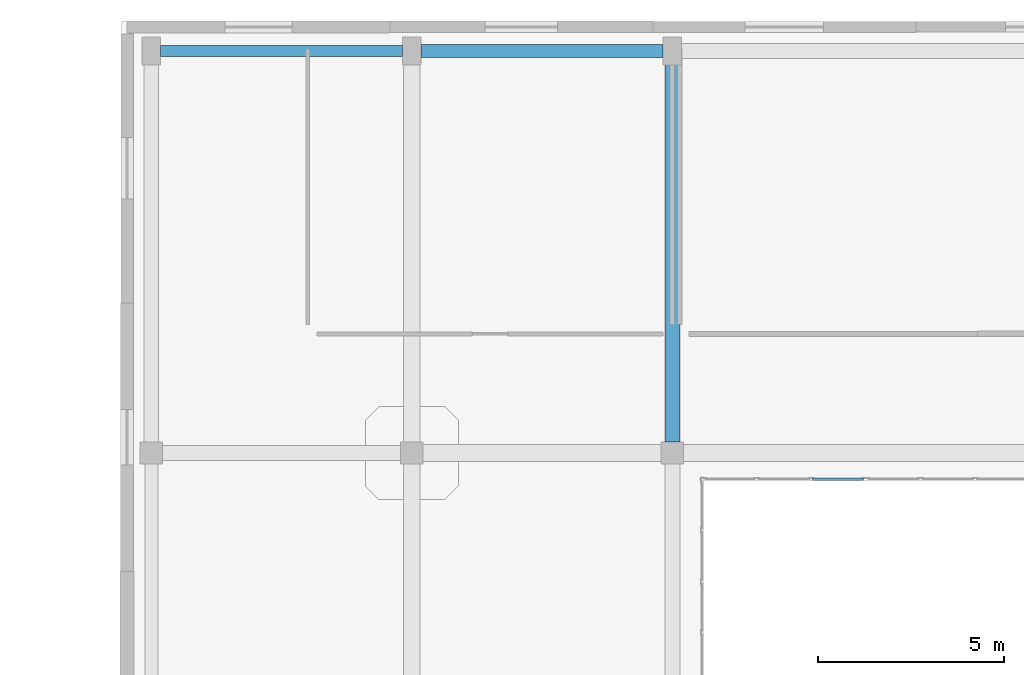
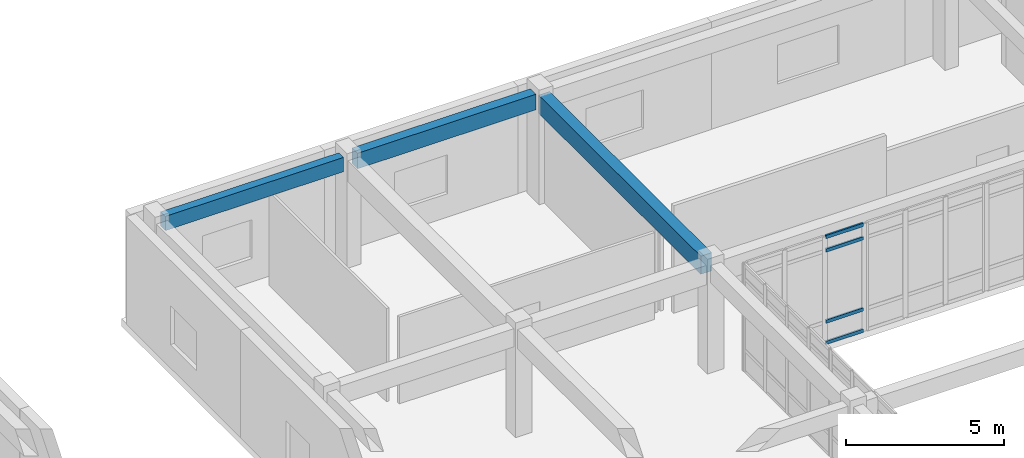
# One storey, part 91 of 142: 4 members, 3 beams, 1 element without a shape of its own.
"""IFC4 building model written with IfcOpenShell, lengths in metres."""

import ifcopenshell
import ifcopenshell.guid

model = None  # the IFC model being written
_history = None  # IfcOwnerHistory: only IFC2X3 demands one
_inside = {}  # id of a spatial element -> (the spatial element, [elements in it])
_under = {}  # id of a project, library or spatial element -> (it, [spatial elements below it])
_declared = {}  # id of a project -> (the project, [libraries it declares])
_typed = {}  # id of a type object -> (the type object, [elements of that type])
_made_of = {}  # id of a material, layer set ... -> (it, [elements and type objects made of it])


def new_model(schema):
    """Start an empty IFC model of exactly this schema.

    Asked for "IFC4X3", IfcOpenShell would pick the latest addendum, in which some entities
    have other attributes; the version numbers below select the first issue.
    IFC2X3 requires an IfcOwnerHistory on every rooted entity: one is made here for all.
    """
    global model, _history
    if schema == "IFC4X3":
        model = ifcopenshell.file(schema_version=(4, 3, 0, 0))
    else:
        model = ifcopenshell.file(schema=schema)
    _inside.clear()
    _under.clear()
    _declared.clear()
    _typed.clear()
    _made_of.clear()
    _history = None
    if model.schema == "IFC2X3":
        org = make("IfcOrganization", Name="unknown")
        user = make(
            "IfcPersonAndOrganization",
            ThePerson=make("IfcPerson", FamilyName="unknown"),
            TheOrganization=org,
        )
        app = make(
            "IfcApplication",
            ApplicationDeveloper=org,
            Version="unknown",
            ApplicationFullName="unknown",
            ApplicationIdentifier="unknown",
        )
        _history = make(
            "IfcOwnerHistory",
            OwningUser=user,
            OwningApplication=app,
            ChangeAction="ADDED",
            CreationDate=0,
        )
    return model


def make(cls, **values):
    """One entity of the class cls with the attributes given. An attribute that is None is left unset."""
    return model.create_entity(
        cls, **{name: value for name, value in values.items() if value is not None}
    )


def rooted(cls, **values):
    """An entity with a GlobalId (a new one), such as an element, a storey or a relation."""
    return make(cls, GlobalId=ifcopenshell.guid.new(), OwnerHistory=_history, **values)


def si_unit(unit_type, name, prefix=None):
    """IfcSIUnit, for example si_unit("LENGTHUNIT", "METRE", prefix="MILLI")."""
    return make("IfcSIUnit", UnitType=unit_type, Prefix=prefix, Name=name)


def assignment(units):
    """IfcUnitAssignment: the units of a project."""
    return None if units is None else make("IfcUnitAssignment", Units=units)


def point(xyz):
    """IfcCartesianPoint."""
    return None if xyz is None else make("IfcCartesianPoint", Coordinates=xyz)


def direction(xyz):
    """IfcDirection."""
    return None if xyz is None else make("IfcDirection", DirectionRatios=xyz)


def frame(location, z_axis=None, x_axis=None):
    """IfcAxis2Placement3D, a coordinate frame: its origin and axes. An axis left out is left unset."""
    return make(
        "IfcAxis2Placement3D",
        Location=point(location),
        Axis=direction(z_axis),
        RefDirection=direction(x_axis),
    )


def frame_2d(location, x_axis=None):
    """IfcAxis2Placement2D, a coordinate frame in the plane: its origin and x axis."""
    return make(
        "IfcAxis2Placement2D", Location=point(location), RefDirection=direction(x_axis)
    )


def origin():
    """The frame at (0, 0, 0) with its axes left unset."""
    return frame((0.0, 0.0, 0.0))


def origin_2d():
    """The frame at (0, 0) in the plane with its x axis left unset."""
    return frame_2d((0.0, 0.0))


def place(relative_to, where):
    """IfcLocalPlacement: puts the frame where relative to a parent placement (None: the world)."""
    return make(
        "IfcLocalPlacement", PlacementRelTo=relative_to, RelativePlacement=where
    )


def context(
    kind, dimensions, precision=None, world=None, true_north=None, identifier=None
):
    """IfcGeometricRepresentationContext, for example the 3D "Model" context."""
    return make(
        "IfcGeometricRepresentationContext",
        ContextIdentifier=identifier,
        ContextType=kind,
        CoordinateSpaceDimension=dimensions,
        Precision=precision,
        WorldCoordinateSystem=world,
        TrueNorth=true_north,
    )


def subcontext(parent, identifier, kind, view, scale=None):
    """IfcGeometricRepresentationSubContext, for example "Body" below "Model"."""
    return make(
        "IfcGeometricRepresentationSubContext",
        ContextIdentifier=identifier,
        ContextType=kind,
        ParentContext=parent,
        TargetScale=scale,
        TargetView=view,
    )


def project(units=None, contexts=None):
    """IfcProject with its units and contexts."""
    return rooted(
        "IfcProject",
        Name="project",
        RepresentationContexts=contexts,
        UnitsInContext=assignment(units),
    )


def spatial(cls, under=None, at=None, **own):
    """A site, building, storey or space (cls), placed at a placement, below another one or the project."""
    s = rooted(cls, ObjectPlacement=at, **own)
    if under is not None:
        _under.setdefault(under.id(), (under, []))[1].append(s)
    return s


def profile(cls, at=None, kind="AREA", **sizes):
    """A parametric profile (cls). Its sizes go by their IFC names, for example OverallWidth=200.0."""
    return make(cls, ProfileType=kind, Position=at, **sizes)


def rectangle(**sizes):
    """IfcRectangleProfileDef."""
    return profile("IfcRectangleProfileDef", **sizes)


def hollow_rectangle(**sizes):
    """IfcRectangleHollowProfileDef."""
    return profile("IfcRectangleHollowProfileDef", **sizes)


def extrude(swept, where, along, depth):
    """IfcExtrudedAreaSolid: the profile swept, set in the frame where, extruded along a direction by depth."""
    return make(
        "IfcExtrudedAreaSolid",
        SweptArea=swept,
        Position=where,
        ExtrudedDirection=direction(along),
        Depth=depth,
    )


def shape(context_of_items, identifier, shape_type, items):
    """IfcShapeRepresentation: the items that make up one representation, for example the "Body"."""
    return make(
        "IfcShapeRepresentation",
        ContextOfItems=context_of_items,
        RepresentationIdentifier=identifier,
        RepresentationType=shape_type,
        Items=items,
    )


def material(Name=None, Category=None):
    """IfcMaterial."""
    return make("IfcMaterial", Name=Name, Category=Category)


def layer(
    of_material, thickness, ventilated=None, Name=None, Category=None, Priority=None
):
    """IfcMaterialLayer: one layer of a wall or slab, of a material (None: an air gap)."""
    return make(
        "IfcMaterialLayer",
        Material=of_material,
        LayerThickness=thickness,
        IsVentilated=ventilated,
        Name=Name,
        Category=Category,
        Priority=Priority,
    )


def layer_set(layers, Name=None):
    """IfcMaterialLayerSet."""
    return make("IfcMaterialLayerSet", MaterialLayers=layers, LayerSetName=Name)


def material_profile(
    of_material, cross_section, Name=None, Category=None, Priority=None
):
    """IfcMaterialProfile: a cross section and its material."""
    return make(
        "IfcMaterialProfile",
        Name=Name,
        Material=of_material,
        Profile=cross_section,
        Priority=Priority,
        Category=Category,
    )


def profile_set(profiles, Name=None, composite=None):
    """IfcMaterialProfileSet."""
    return make(
        "IfcMaterialProfileSet",
        Name=Name,
        MaterialProfiles=profiles,
        CompositeProfile=composite,
    )


def made_of(thing, what):
    """Note that an element or type object is made of a material, layer set ...; save() writes the relation."""
    if what is not None:
        _made_of.setdefault(what.id(), (what, []))[1].append(thing)
    return thing


def type_object(cls, material=None, **own):
    """A type object (cls), such as IfcWallType, which elements share."""
    return made_of(rooted(cls, **own), material)


def element(
    cls,
    number,
    at=None,
    inside=None,
    cuts=None,
    type_object=None,
    material=None,
    context=None,
    identifier="Body",
    shape_type=None,
    held_by="IfcProductDefinitionShape",
    body=None,
    shapes=None,
    **own,
):
    """One element of the class cls, such as IfcWall. Its Tag is "e" and its number.

    at: its placement. inside: the storey or other place that contains it. cuts: it is an
    opening in that element (IfcRelVoidsElement). A single representation is given by context,
    identifier, shape_type and body (its items); several are given by shapes. held_by: the class
    of the entity that holds the representations. save() writes the other relations.
    """
    e = rooted(cls, Tag="e%d" % number, ObjectPlacement=at, **own)
    if body is not None:
        shapes = [shape(context, identifier, shape_type, body)]
    if shapes is not None:
        e.Representation = make(held_by, Representations=shapes)
    if inside is not None:
        _inside.setdefault(inside.id(), (inside, []))[1].append(e)
    if cuts is not None:
        rooted(
            "IfcRelVoidsElement", RelatingBuildingElement=cuts, RelatedOpeningElement=e
        )
    if type_object is not None:
        _typed.setdefault(type_object.id(), (type_object, []))[1].append(e)
    return made_of(e, material)


def aggregate(whole, parts):
    """IfcRelAggregates: a whole, such as a stair, and the parts it consists of."""
    return rooted("IfcRelAggregates", RelatingObject=whole, RelatedObjects=parts)


def save(model, path):
    """Write the relations noted so far, then the file.

    IfcRelAggregates (storeys below a building ...), IfcRelContainedInSpatialStructure (elements
    in a storey), IfcRelDefinesByType, IfcRelAssociatesMaterial and IfcRelDeclares: one each for
    every whole, place, type object, material and project.
    """
    for whole, parts in _under.values():
        aggregate(whole, parts)
    for where, things in _inside.values():
        rooted(
            "IfcRelContainedInSpatialStructure",
            RelatedElements=things,
            RelatingStructure=where,
        )
    for kind, things in _typed.values():
        rooted("IfcRelDefinesByType", RelatedObjects=things, RelatingType=kind)
    for what, things in _made_of.values():
        rooted("IfcRelAssociatesMaterial", RelatedObjects=things, RelatingMaterial=what)
    for by, libraries in _declared.values():
        rooted("IfcRelDeclares", RelatingContext=by, RelatedDefinitions=libraries)
    model.write(path)


model = new_model("IFC4")

# Units and contexts
model_context = context("Model", 3, precision=1e-05, world=origin(), true_north=direction((0.0, 1.0)))
body_context = subcontext(model_context, "Body", "Model", "MODEL_VIEW")
ifc_project = project(units=[si_unit("LENGTHUNIT", "METRE"), si_unit("AREAUNIT", "SQUARE_METRE"), si_unit("VOLUMEUNIT", "CUBIC_METRE"), si_unit("PLANEANGLEUNIT", "RADIAN"), si_unit("MASSUNIT", "GRAM", prefix="KILO")], contexts=[model_context])

# Site, building, storey
site_placement = place(None, origin())
site = spatial("IfcSite", under=ifc_project, at=site_placement, CompositionType="ELEMENT")
building_placement = place(site_placement, origin())
building = spatial("IfcBuilding", under=site, at=building_placement, Name="Valcora Specialist Clinic", CompositionType="ELEMENT")
storey_placement = place(building_placement, frame((0.0, 0.0, 5.10009765625)))
storey = spatial("IfcBuildingStorey", under=building, at=storey_placement, Name="L01", CompositionType="ELEMENT", Elevation=5.10009765625)

# Beams
ifc_material_1 = material(Name="Concrete C40/50", Category="concrete")
ifc_material_profile_1 = material_profile(ifc_material_1, rectangle(XDim=0.300048828125, YDim=0.550048828125, at=origin_2d()), Name="RC-BM-300X550")
ifc_profile_set_1 = profile_set([ifc_material_profile_1], Name="Concrete C40/50")
beam_type_1 = type_object("IfcBeamType", Name="TY-BM-RC300X550", PredefinedType="BEAM", material=ifc_profile_set_1)
beam_1_placement = place(storey_placement, frame((62.25, 110.0, 3.869873046875), z_axis=(1.0, 0.0, 0.0), x_axis=(0.0, 1.0, 0.0)))
element("IfcBeam", 1, at=beam_1_placement, inside=storey, type_object=beam_type_1, Name="Beam BM-L01-0649", PredefinedType="BEAM", context=body_context, shape_type="SweptSolid", body=[
    extrude(rectangle(XDim=0.300048828125, YDim=0.550048828125, at=origin_2d()), origin(), (0.0, 0.0, 1.0), 6.5),
])
ifc_material_profile_2 = material_profile(ifc_material_1, rectangle(XDim=0.35009765625, YDim=0.60009765625, at=origin_2d()), Name="RC-BM-350X600")
ifc_profile_set_2 = profile_set([ifc_material_profile_2], Name="Concrete C40/50")
beam_type_2 = type_object("IfcBeamType", Name="TY-BM-RC350X600", PredefinedType="BEAM", material=ifc_profile_set_2)
beam_2_placement = place(storey_placement, frame((69.25, 110.0, 3.844970703125), z_axis=(1.0, 0.0, 0.0), x_axis=(0.0, 1.0, 0.0)))
element("IfcBeam", 2, at=beam_2_placement, inside=storey, type_object=beam_type_2, Name="Beam BM-L01-0650", PredefinedType="BEAM", context=body_context, shape_type="SweptSolid", body=[
    extrude(rectangle(XDim=0.35009765625, YDim=0.60009765625, at=origin_2d()), origin(), (0.0, 0.0, 1.0), 6.5),
])
ifc_material_profile_3 = material_profile(ifc_material_1, rectangle(XDim=0.39990234375, YDim=0.699951171875, at=origin_2d()), Name="RC-BM-400X700")
ifc_profile_set_3 = profile_set([ifc_material_profile_3], Name="Concrete C40/50")
beam_type_3 = type_object("IfcBeamType", Name="TY-BM-RC400X700", PredefinedType="BEAM", material=ifc_profile_set_3)
beam_3_placement = place(storey_placement, frame((76.0, 99.5, 3.794921875), z_axis=(0.0, 1.0, 0.0), x_axis=(-1.0, 0.0, 0.0)))
element("IfcBeam", 3, at=beam_3_placement, inside=storey, type_object=beam_type_3, Name="Beam BM-L01-0668", PredefinedType="BEAM", context=body_context, shape_type="SweptSolid", body=[
    extrude(rectangle(XDim=0.39990234375, YDim=0.699951171875, at=origin_2d()), origin(), (0.0, 0.0, 1.0), 10.25),
])

# Curtain wall, members
ifc_material_2 = material(Name="Anodized Bronze Aluminium 6063-T6", Category="aluminium")
ifc_layer = layer(ifc_material_2, 0.175048828125)
ifc_layer_set = layer_set([ifc_layer], Name="Anodized Bronze Aluminium 6063-T6")
curtain_wall_type = type_object("IfcCurtainWallType", Name="TY-CW-CRT15", PredefinedType="NOTDEFINED", material=ifc_layer_set)
curtain_wall_placement = place(storey_placement, origin())
curtain_wall = element("IfcCurtainWall", 4, at=curtain_wall_placement, inside=storey, type_object=curtain_wall_type, Name="Curtain wall CW-L01-069", PredefinedType="NOTDEFINED")
ifc_material_profile_4 = material_profile(ifc_material_2, hollow_rectangle(XDim=0.06494140625, YDim=0.1298828125, WallThickness=0.00390625, at=origin_2d()), Name="AL-TRN-65X130")
ifc_profile_set_4 = profile_set([ifc_material_profile_4], Name="Anodized Bronze Aluminium 6063-T6")
member_type = type_object("IfcMemberType", Name="TY-CWT-65X130", PredefinedType="USERDEFINED", material=ifc_profile_set_4)
member_1_placement = place(storey_placement, frame((81.135009765625, 98.5, 0.032470703125), z_axis=(-1.0, 0.0, 0.0), x_axis=(0.0, -1.0, 0.0)))
member_1 = element("IfcMember", 5, at=member_1_placement, type_object=member_type, Name="CW-CRT-15 transom 1.1", ObjectType="TRANSOM", PredefinedType="USERDEFINED", context=body_context, shape_type="SweptSolid", body=[
    extrude(hollow_rectangle(XDim=0.06494140625, YDim=0.1298828125, WallThickness=0.00390625, at=origin_2d()), origin(), (0.0, 0.0, 1.0), 1.369140625),
])
member_2_placement = place(storey_placement, frame((81.135009765625, 98.5, 0.849853515625), z_axis=(-1.0, 0.0, 0.0), x_axis=(0.0, -1.0, 0.0)))
member_2 = element("IfcMember", 6, at=member_2_placement, type_object=member_type, Name="CW-CRT-15 transom 1.2", ObjectType="TRANSOM", PredefinedType="USERDEFINED", context=body_context, shape_type="SweptSolid", body=[
    extrude(hollow_rectangle(XDim=0.06494140625, YDim=0.1298828125, WallThickness=0.00390625, at=origin_2d()), origin(), (0.0, 0.0, 1.0), 1.369140625),
])
member_3_placement = place(storey_placement, frame((81.135009765625, 98.5, 3.594970703125), z_axis=(-1.0, 0.0, 0.0), x_axis=(0.0, -1.0, 0.0)))
member_3 = element("IfcMember", 7, at=member_3_placement, type_object=member_type, Name="CW-CRT-15 transom 1.3", ObjectType="TRANSOM", PredefinedType="USERDEFINED", context=body_context, shape_type="SweptSolid", body=[
    extrude(hollow_rectangle(XDim=0.06494140625, YDim=0.1298828125, WallThickness=0.00390625, at=origin_2d()), origin(), (0.0, 0.0, 1.0), 1.369140625),
])
member_4_placement = place(storey_placement, frame((81.135009765625, 98.5, 4.1123046875), z_axis=(-1.0, 0.0, 0.0), x_axis=(0.0, -1.0, 0.0)))
member_4 = element("IfcMember", 8, at=member_4_placement, type_object=member_type, Name="CW-CRT-15 transom 1.4", ObjectType="TRANSOM", PredefinedType="USERDEFINED", context=body_context, shape_type="SweptSolid", body=[
    extrude(hollow_rectangle(XDim=0.06494140625, YDim=0.1298828125, WallThickness=0.00390625, at=origin_2d()), origin(), (0.0, 0.0, 1.0), 1.369140625),
])
aggregate(curtain_wall, [member_1, member_2, member_3, member_4])

save(model, "model.ifc")
